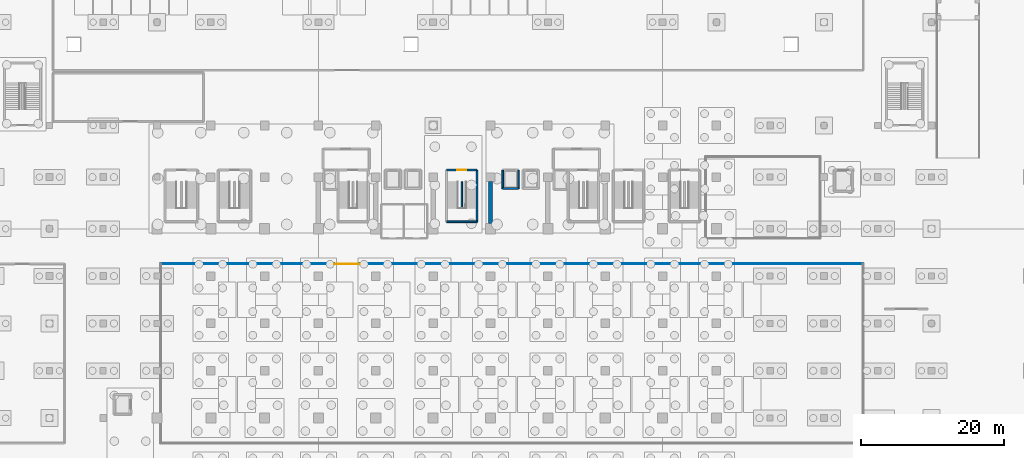
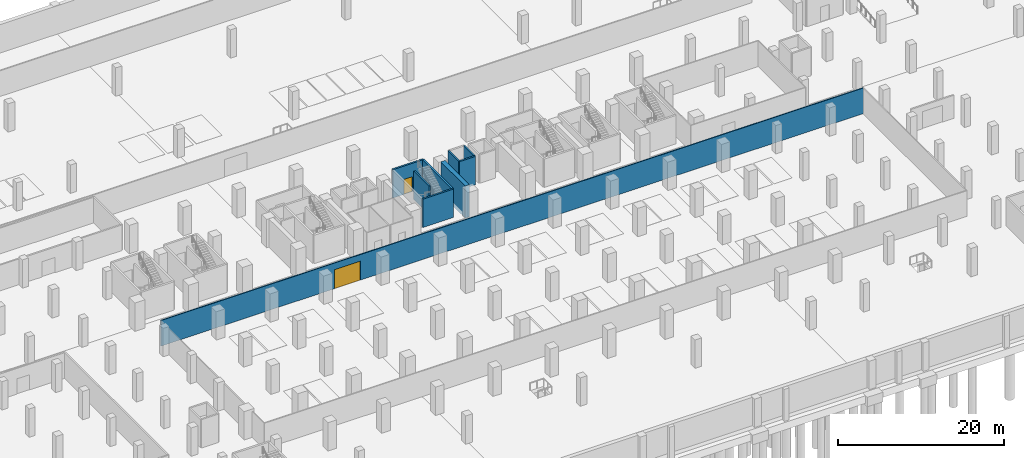
# One storey, part 10 of 26: 9 walls, 2 doors, 2 openings.
"""IFC4 building model written with IfcOpenShell, lengths in metres."""

from ifc_helpers import new_model, si_unit, direction, frame, frame_2d, origin, place, context, subcontext, project, spatial, rectangle, extrude, material, layer, layer_set, type_object, element, fill, save


model = new_model("IFC4")

# Units and contexts
model_context = context("Model", 3, precision=1e-05, world=origin(), true_north=direction((0.0, 1.0)))
body_context = subcontext(model_context, "Body", "Model", "MODEL_VIEW")
ifc_project = project(units=[si_unit("LENGTHUNIT", "METRE"), si_unit("AREAUNIT", "SQUARE_METRE"), si_unit("VOLUMEUNIT", "CUBIC_METRE"), si_unit("PLANEANGLEUNIT", "RADIAN"), si_unit("MASSUNIT", "GRAM", prefix="KILO")], contexts=[model_context])

# Site, building, storey
site_placement = place(None, origin())
site = spatial("IfcSite", under=ifc_project, at=site_placement, CompositionType="ELEMENT")
building_placement = place(site_placement, origin())
building = spatial("IfcBuilding", under=site, at=building_placement, Name="Akrevak Sports Hall", CompositionType="ELEMENT")
storey_placement = place(building_placement, frame((0.0, 0.0, -9.0)))
storey = spatial("IfcBuildingStorey", under=building, at=storey_placement, Name="B02", CompositionType="ELEMENT", Elevation=-9.0)

# Wall, opening, door
ifc_material_1 = material(Name="Acoustic Metal Stud Partition", Category="gypsum")
ifc_layer_1 = layer(ifc_material_1, 0.1298828125, Name="Acoustic Metal Stud Partition")
ifc_layer_set_1 = layer_set([ifc_layer_1], Name="Acoustic Metal Stud Partition")
wall_type_1 = type_object("IfcWallType", Name="ARC-WL-PRT-130", PredefinedType="PARTITIONING", material=ifc_layer_set_1)
wall_1_placement = place(storey_placement, frame((38.0, 50.300048828125, 0.0), z_axis=(0.0, 0.0, 1.0), x_axis=(1.0, 0.0, 0.0)))
wall_1 = element("IfcWall", 1, at=wall_1_placement, inside=storey, type_object=wall_type_1, Name="Interior Partition Underground Car Park Hall South B02 (N)", PredefinedType="PARTITIONING", context=body_context, shape_type="SweptSolid", body=[
    extrude(rectangle(XDim=98.0, YDim=0.1298828125, at=frame_2d((49.0, 0.0))), origin(), (0.0, 0.0, 1.0), 3.780029296875),
])
opening_1_placement = place(wall_1_placement, frame((24.199951171875, 0.0, 0.0)))
opening_1 = element("IfcOpeningElement", 2, at=opening_1_placement, cuts=wall_1, Name="Opening GT-01", PredefinedType="OPENING", context=body_context, shape_type="SweptSolid", body=[
    extrude(rectangle(XDim=3.60009765625, YDim=2.800048828125, at=frame_2d((1.800048828125, 1.39990234375))), frame((0.0, 0.076904296875, 0.0), z_axis=(0.0, -1.0, 0.0), x_axis=(1.0, 0.0, 0.0)), (0.0, 0.0, 1.0), 0.15380859375),
])
ifc_material_2 = material(Name="Galvanized Roller Shutter Steel", Category="steel")
door_type_1 = type_object("IfcDoorType", Name="ARC-DR-GATE-360x280", OperationType="ROLLINGUP", PredefinedType="GATE", material=ifc_material_2)
door_1_placement = place(opening_1_placement, origin())
door_1 = element("IfcDoor", 3, at=door_1_placement, inside=storey, type_object=door_type_1, Name="Door to Underground Car Park Hall South B02", OperationType="ROLLINGUP", OverallHeight=2.800048828125, OverallWidth=3.60009765625, PredefinedType="GATE", context=body_context, shape_type="SweptSolid", body=[
    extrude(rectangle(XDim=3.60009765625, YDim=2.800048828125, at=frame_2d((1.800048828125, 1.39990234375))), frame((0.0, 0.02490234375, 0.0), z_axis=(0.0, -1.0, 0.0), x_axis=(1.0, 0.0, 0.0)), (0.0, 0.0, 1.0), 0.050048828125),
])
fill(opening_1, door_1)

# Walls
ifc_material_3 = material(Name="Concrete C40/50", Category="concrete")
ifc_layer_2 = layer(ifc_material_3, 0.219970703125, Name="Concrete C40/50")
ifc_layer_set_2 = layer_set([ifc_layer_2], Name="Concrete C40/50")
wall_type_2 = type_object("IfcWallType", Name="ARC-WL-PRT-220", PredefinedType="PARTITIONING", material=ifc_layer_set_2)
wall_2_placement = place(storey_placement, frame((80.0, 58.094970703125, 0.0), z_axis=(0.0, 0.0, 1.0), x_axis=(0.0, 1.0, 0.0)))
element("IfcWall", 4, at=wall_2_placement, inside=storey, type_object=wall_type_2, Name="Stair ST3 Central Spine Wall (B02)", PredefinedType="PARTITIONING", context=body_context, shape_type="SweptSolid", body=[
    extrude(rectangle(XDim=3.64013671875, YDim=0.219970703125, at=frame_2d((1.820068359375, 0.0))), origin(), (0.0, 0.0, 1.0), 4.179931640625),
])
ifc_material_4 = material(Name="Concrete C50/60", Category="concrete")
ifc_layer_3 = layer(ifc_material_4, 0.219970703125, Name="Concrete C50/60")
ifc_layer_set_3 = layer_set([ifc_layer_3], Name="Concrete C50/60")
wall_type_3 = type_object("IfcWallType", Name="ARC-WL-SHAFT-220", PredefinedType="SHEAR", material=ifc_layer_set_3)
wall_3_placement = place(storey_placement, frame((85.7099609375, 60.81005859375, 0.0), z_axis=(0.0, 0.0, 1.0), x_axis=(1.0, 0.0, 0.0)))
element("IfcWall", 5, at=wall_3_placement, inside=storey, type_object=wall_type_3, Name="Lift Shaft LF-P3 Wall S (B02)", PredefinedType="SHEAR", context=body_context, shape_type="SweptSolid", body=[
    extrude(rectangle(XDim=2.179931640625, YDim=0.219970703125, at=frame_2d((1.08984375, 0.0))), origin(), (0.0, 0.0, 1.0), 4.179931640625),
])
for number, where, z_axis, x_axis, name in (
    (6, (85.7099609375, 63.389892578125, 0.0), (0.0, 0.0, 1.0), (0.0, -1.0, 0.0), "Lift Shaft LF-P3 Wall W (B02)"),
    (7, (87.889892578125, 60.81005859375, 0.0), (0.0, 0.0, 1.0), (0.0, 1.0, 0.0), "Lift Shaft LF-P3 Wall E (B02)"),
):
    element("IfcWall", number, at=place(storey_placement, frame(where, z_axis=z_axis, x_axis=x_axis)), inside=storey, type_object=wall_type_3, Name=name, PredefinedType="SHEAR", context=body_context, shape_type="SweptSolid", body=[
        extrude(rectangle(XDim=2.579833984375, YDim=0.219970703125, at=frame_2d((1.2900390625, 0.0))), origin(), (0.0, 0.0, 1.0), 4.179931640625),
    ])
ifc_layer_4 = layer(ifc_material_4, 0.60009765625, Name="Concrete C50/60")
ifc_layer_set_4 = layer_set([ifc_layer_4], Name="Concrete C50/60")
wall_type_4 = type_object("IfcWallType", Name="STR-WL-CORE-600", PredefinedType="SHEAR", material=ifc_layer_set_4)
wall_4_placement = place(storey_placement, frame((84.0, 55.89990234375, -0.550048828125), z_axis=(0.0, 0.0, 1.0), x_axis=(0.0, 1.0, 0.0)))
element("IfcWall", 8, at=wall_4_placement, inside=storey, type_object=wall_type_4, Name="Reinforced Concrete Shear Wall SW-C2 (B02)", PredefinedType="SHEAR", context=body_context, shape_type="SweptSolid", body=[
    extrude(rectangle(XDim=5.900146484375, YDim=0.60009765625, at=frame_2d((2.9501953125, 0.0))), origin(), (0.0, 0.0, 1.0), 4.72998046875),
])
ifc_layer_5 = layer(ifc_material_4, 0.25, Name="Concrete C50/60")
ifc_layer_set_5 = layer_set([ifc_layer_5], Name="Concrete C50/60")
wall_type_5 = type_object("IfcWallType", Name="STR-WL-STAIR-250", PredefinedType="SHEAR", material=ifc_layer_set_5)
wall_5_placement = place(storey_placement, frame((77.875, 56.175048828125, 0.0), z_axis=(0.0, 0.0, 1.0), x_axis=(1.0, 0.0, 0.0)))
element("IfcWall", 9, at=wall_5_placement, inside=storey, type_object=wall_type_5, Name="Stair Core ST3 Shear Wall S (B02)", PredefinedType="SHEAR", context=body_context, shape_type="SweptSolid", body=[
    extrude(rectangle(XDim=4.25, YDim=0.25, at=frame_2d((2.125, 0.0))), origin(), (0.0, 0.0, 1.0), 4.179931640625),
])

# Wall, opening, door
wall_6_placement = place(storey_placement, frame((82.125, 63.375, 0.0), z_axis=(0.0, 0.0, 1.0), x_axis=(-1.0, 0.0, 0.0)))
wall_6 = element("IfcWall", 10, at=wall_6_placement, inside=storey, type_object=wall_type_5, Name="Stair Core ST3 Shear Wall N (B02)", PredefinedType="SHEAR", context=body_context, shape_type="SweptSolid", body=[
    extrude(rectangle(XDim=4.25, YDim=0.25, at=frame_2d((2.125, 0.0))), origin(), (0.0, 0.0, 1.0), 4.179931640625),
])
opening_2_placement = place(wall_6_placement, frame((1.52490234375, 0.0, 0.0)))
opening_2 = element("IfcOpeningElement", 11, at=opening_2_placement, cuts=wall_6, Name="Opening SD-02", PredefinedType="OPENING", context=body_context, shape_type="SweptSolid", body=[
    extrude(rectangle(XDim=1.199951171875, YDim=2.199951171875, at=frame_2d((0.60009765625, 1.10009765625))), frame((0.0, 0.136962890625, 0.0), z_axis=(0.0, -1.0, 0.0), x_axis=(1.0, 0.0, 0.0)), (0.0, 0.0, 1.0), 0.27392578125),
])
ifc_material_5 = material(Name="Fire-Rated Galvanized Door Steel", Category="steel")
door_type_2 = type_object("IfcDoorType", Name="ARC-DR-STAIR-120x220", OperationType="NOTDEFINED", PredefinedType="DOOR", material=ifc_material_5)
door_2_placement = place(opening_2_placement, origin())
door_2 = element("IfcDoor", 12, at=door_2_placement, inside=storey, type_object=door_type_2, Name="Exit Stair ST3 Door (B02)", OperationType="SINGLE_SWING_RIGHT", OverallHeight=2.199951171875, OverallWidth=1.199951171875, PredefinedType="DOOR", context=body_context, shape_type="SweptSolid", body=[
    extrude(rectangle(XDim=1.199951171875, YDim=2.199951171875, at=frame_2d((0.60009765625, 1.10009765625))), frame((0.0, 0.02490234375, 0.0), z_axis=(0.0, -1.0, 0.0), x_axis=(1.0, 0.0, 0.0)), (0.0, 0.0, 1.0), 0.050048828125),
])
fill(opening_2, door_2)

# Wall
wall_7_placement = place(storey_placement, frame((82.125, 56.175048828125, 0.0), z_axis=(0.0, 0.0, 1.0), x_axis=(0.0, 1.0, 0.0)))
element("IfcWall", 13, at=wall_7_placement, inside=storey, type_object=wall_type_5, Name="Stair Core ST3 Shear Wall E (B02)", PredefinedType="SHEAR", context=body_context, shape_type="SweptSolid", body=[
    extrude(rectangle(XDim=7.199951171875, YDim=0.25, at=frame_2d((3.60009765625, 0.0))), origin(), (0.0, 0.0, 1.0), 4.179931640625),
])

save(model, "model.ifc")
